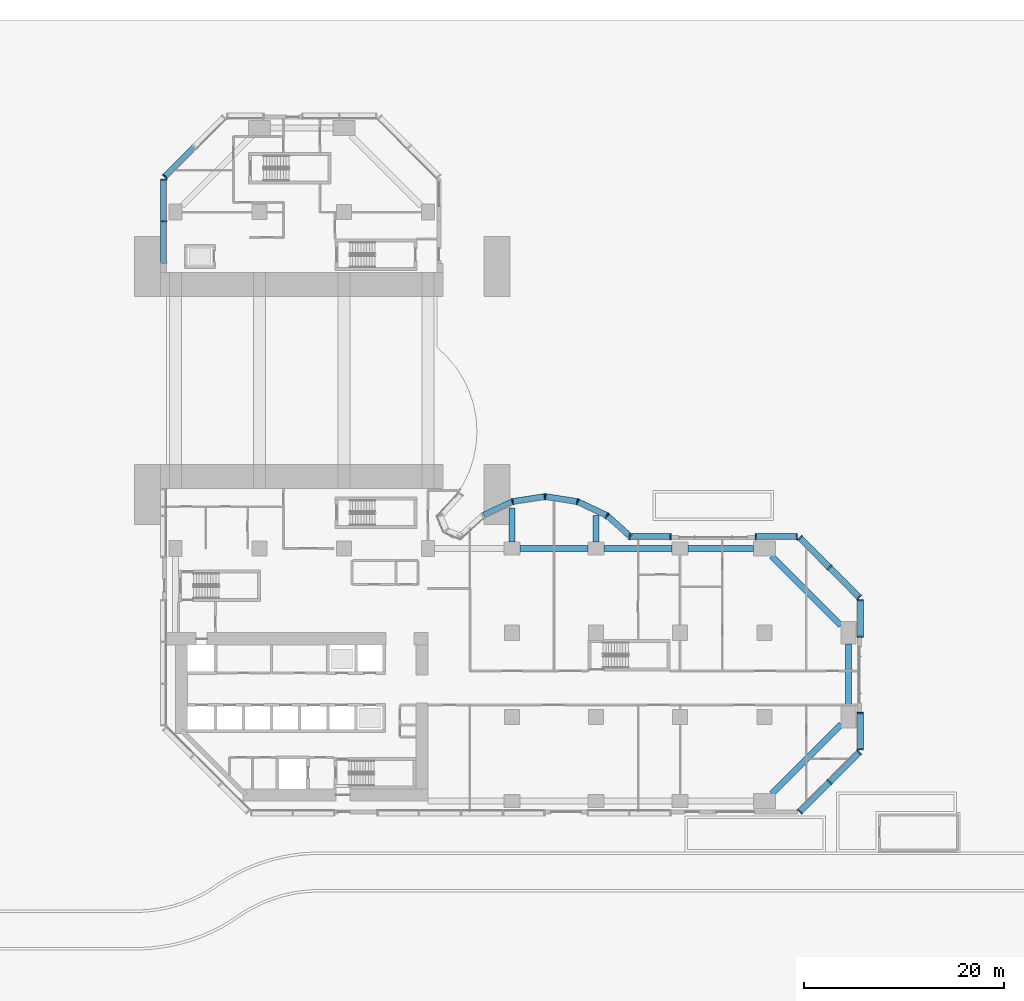
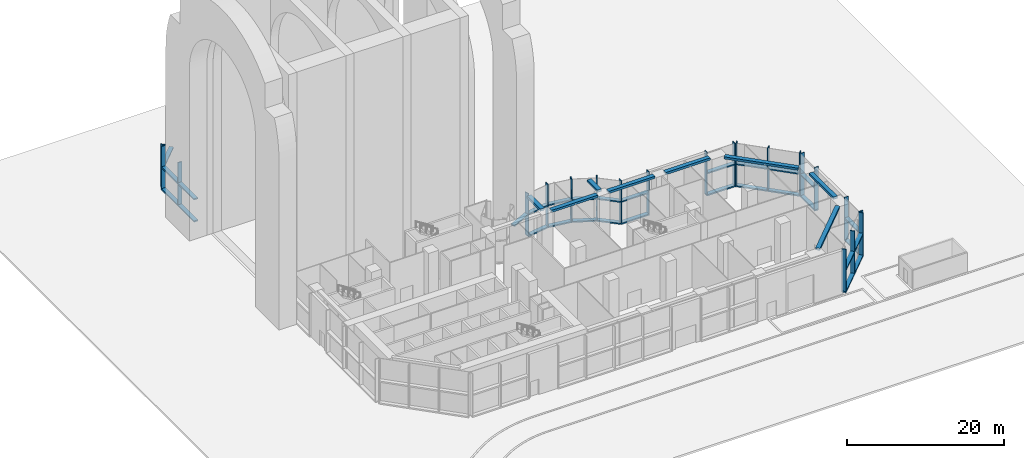
# One storey, part 3 of 21: 48 members, 8 beams, 9 elements without a shape of their own.
"""IFC4 building model written with IfcOpenShell, lengths in metres."""

from ifc_helpers import new_model, si_unit, direction, frame, origin, origin_2d, place, context, subcontext, project, spatial, rectangle, extrude, material, material_profile, profile_set, type_object, element, aggregate, save


model = new_model("IFC4")

# Units and contexts
model_context = context("Model", 3, precision=1e-05, world=origin(), true_north=direction((0.0, 1.0)))
body_context = subcontext(model_context, "Body", "Model", "MODEL_VIEW")
ifc_project = project(units=[si_unit("LENGTHUNIT", "METRE"), si_unit("AREAUNIT", "SQUARE_METRE"), si_unit("VOLUMEUNIT", "CUBIC_METRE"), si_unit("PLANEANGLEUNIT", "RADIAN"), si_unit("MASSUNIT", "GRAM", prefix="KILO")], contexts=[model_context])

# Site, building, storey
site_placement = place(None, origin())
site = spatial("IfcSite", under=ifc_project, at=site_placement, CompositionType="ELEMENT")
building_placement = place(site_placement, origin())
building = spatial("IfcBuilding", under=site, at=building_placement, Name="Brevane Broadcast Tower", CompositionType="ELEMENT")
storey_placement = place(building_placement, origin())
storey = spatial("IfcBuildingStorey", under=building, at=storey_placement, Name="L00", CompositionType="ELEMENT", Elevation=0.0)

# Curtain wall, members
ifc_material_1 = material(Name="Aluminium 6063-T6 bronze anodised", Category="aluminium")
curtain_wall_type = type_object("IfcCurtainWallType", Name="CW-6 curtain wall", PredefinedType="NOTDEFINED", material=ifc_material_1)
curtain_wall_1_placement = place(storey_placement, origin())
curtain_wall_1 = element("IfcCurtainWall", 1, at=curtain_wall_1_placement, inside=storey, type_object=curtain_wall_type, Name="CW-6 ground storey storefront unit L00 south-east chamfer", PredefinedType="NOTDEFINED")
ifc_material_profile_1 = material_profile(ifc_material_1, rectangle(XDim=0.60009765625, YDim=0.1201171875, at=origin_2d()), Name="RECT 120x600")
ifc_profile_set_1 = profile_set([ifc_material_profile_1], Name="Aluminium 6063-T6 bronze anodised")
member_type_1 = type_object("IfcMemberType", Name="CW-6 mullion 120x600", PredefinedType="MULLION", material=ifc_profile_set_1)
member_1_placement = place(storey_placement, frame((62.3544921875, -1.06982421875, 0.199951171875), z_axis=(0.0, 0.0, 1.0), x_axis=(-0.707106781187, 0.707106781187, 0.0)))
member_1 = element("IfcMember", 2, at=member_1_placement, type_object=member_type_1, Name="CW-6 mullion", PredefinedType="MULLION", context=body_context, shape_type="SweptSolid", body=[
    extrude(rectangle(XDim=0.60009765625, YDim=0.1201171875, at=origin_2d()), origin(), (0.0, 0.0, 1.0), 6.550048828125),
])
member_2_placement = place(storey_placement, frame((65.31201171875, 1.887939453125, 0.199951171875), z_axis=(0.0, 0.0, 1.0), x_axis=(-0.707106781187, 0.707106781187, 0.0)))
member_2 = element("IfcMember", 3, at=member_2_placement, type_object=member_type_1, Name="CW-6 mullion", PredefinedType="MULLION", context=body_context, shape_type="SweptSolid", body=[
    extrude(rectangle(XDim=0.60009765625, YDim=0.1201171875, at=origin_2d()), origin(), (0.0, 0.0, 1.0), 6.550048828125),
])
member_3_placement = place(storey_placement, frame((68.269775390625, 4.845458984375, 0.199951171875), z_axis=(0.0, 0.0, 1.0), x_axis=(-0.707106781187, 0.707106781187, 0.0)))
member_3 = element("IfcMember", 4, at=member_3_placement, type_object=member_type_1, Name="CW-6 mullion", PredefinedType="MULLION", context=body_context, shape_type="SweptSolid", body=[
    extrude(rectangle(XDim=0.60009765625, YDim=0.1201171875, at=origin_2d()), origin(), (0.0, 0.0, 1.0), 6.550048828125),
])

curtain_wall_2_placement = place(storey_placement, origin())
curtain_wall_2 = element("IfcCurtainWall", 5, at=curtain_wall_2_placement, inside=storey, type_object=curtain_wall_type, Name="CW-6 ground storey storefront unit L00 east end", PredefinedType="NOTDEFINED")
member_4_placement = place(storey_placement, frame((68.39990234375, 5.159912109375, 0.199951171875), z_axis=(0.0, 0.0, 1.0), x_axis=(-1.0, 0.0, 0.0)))
member_4 = element("IfcMember", 6, at=member_4_placement, type_object=member_type_1, Name="CW-6 mullion", PredefinedType="MULLION", context=body_context, shape_type="SweptSolid", body=[
    extrude(rectangle(XDim=0.60009765625, YDim=0.1201171875, at=origin_2d()), origin(), (0.0, 0.0, 1.0), 6.550048828125),
])
member_5_placement = place(storey_placement, frame((68.39990234375, 8.7900390625, 0.199951171875), z_axis=(0.0, 0.0, 1.0), x_axis=(-1.0, 0.0, 0.0)))
member_5 = element("IfcMember", 7, at=member_5_placement, type_object=member_type_1, Name="CW-6 mullion", PredefinedType="MULLION", context=body_context, shape_type="SweptSolid", body=[
    extrude(rectangle(XDim=0.60009765625, YDim=0.1201171875, at=origin_2d()), origin(), (0.0, 0.0, 1.0), 6.550048828125),
])

curtain_wall_3_placement = place(storey_placement, origin())
curtain_wall_3 = element("IfcCurtainWall", 8, at=curtain_wall_3_placement, inside=storey, type_object=curtain_wall_type, Name="CW-6 ground storey storefront unit L00 east end", PredefinedType="NOTDEFINED")
member_6_placement = place(storey_placement, frame((68.39990234375, 16.409912109375, 0.199951171875), z_axis=(0.0, 0.0, 1.0), x_axis=(-1.0, 0.0, 0.0)))
member_6 = element("IfcMember", 9, at=member_6_placement, type_object=member_type_1, Name="CW-6 mullion", PredefinedType="MULLION", context=body_context, shape_type="SweptSolid", body=[
    extrude(rectangle(XDim=0.60009765625, YDim=0.1201171875, at=origin_2d()), origin(), (0.0, 0.0, 1.0), 6.550048828125),
])
member_7_placement = place(storey_placement, frame((68.39990234375, 20.0400390625, 0.199951171875), z_axis=(0.0, 0.0, 1.0), x_axis=(-1.0, 0.0, 0.0)))
member_7 = element("IfcMember", 10, at=member_7_placement, type_object=member_type_1, Name="CW-6 mullion", PredefinedType="MULLION", context=body_context, shape_type="SweptSolid", body=[
    extrude(rectangle(XDim=0.60009765625, YDim=0.1201171875, at=origin_2d()), origin(), (0.0, 0.0, 1.0), 6.550048828125),
])

curtain_wall_4_placement = place(storey_placement, origin())
curtain_wall_4 = element("IfcCurtainWall", 11, at=curtain_wall_4_placement, inside=storey, type_object=curtain_wall_type, Name="CW-6 ground storey storefront unit L00 north-east chamfer", PredefinedType="NOTDEFINED")
member_8_placement = place(storey_placement, frame((68.269775390625, 20.3544921875, 0.199951171875), z_axis=(0.0, 0.0, 1.0), x_axis=(-0.707106781187, -0.707106781187, 0.0)))
member_8 = element("IfcMember", 12, at=member_8_placement, type_object=member_type_1, Name="CW-6 mullion", PredefinedType="MULLION", context=body_context, shape_type="SweptSolid", body=[
    extrude(rectangle(XDim=0.60009765625, YDim=0.1201171875, at=origin_2d()), origin(), (0.0, 0.0, 1.0), 6.550048828125),
])
member_9_placement = place(storey_placement, frame((65.31201171875, 23.31201171875, 0.199951171875), z_axis=(0.0, 0.0, 1.0), x_axis=(-0.707106781187, -0.707106781187, 0.0)))
member_9 = element("IfcMember", 13, at=member_9_placement, type_object=member_type_1, Name="CW-6 mullion", PredefinedType="MULLION", context=body_context, shape_type="SweptSolid", body=[
    extrude(rectangle(XDim=0.60009765625, YDim=0.1201171875, at=origin_2d()), origin(), (0.0, 0.0, 1.0), 6.550048828125),
])
member_10_placement = place(storey_placement, frame((62.3544921875, 26.269775390625, 0.199951171875), z_axis=(0.0, 0.0, 1.0), x_axis=(-0.707106781187, -0.707106781187, 0.0)))
member_10 = element("IfcMember", 14, at=member_10_placement, type_object=member_type_1, Name="CW-6 mullion", PredefinedType="MULLION", context=body_context, shape_type="SweptSolid", body=[
    extrude(rectangle(XDim=0.60009765625, YDim=0.1201171875, at=origin_2d()), origin(), (0.0, 0.0, 1.0), 6.550048828125),
])

curtain_wall_5_placement = place(storey_placement, origin())
curtain_wall_5 = element("IfcCurtainWall", 15, at=curtain_wall_5_placement, inside=storey, type_object=curtain_wall_type, Name="CW-6 ground storey storefront unit L00 east arm north face", PredefinedType="NOTDEFINED")
member_11_placement = place(storey_placement, frame((62.0400390625, 26.39990234375, 0.199951171875), z_axis=(0.0, 0.0, 1.0), x_axis=(0.0, -1.0, 0.0)))
member_11 = element("IfcMember", 16, at=member_11_placement, type_object=member_type_1, Name="CW-6 mullion", PredefinedType="MULLION", context=body_context, shape_type="SweptSolid", body=[
    extrude(rectangle(XDim=0.60009765625, YDim=0.1201171875, at=origin_2d()), origin(), (0.0, 0.0, 1.0), 6.550048828125),
])
member_12_placement = place(storey_placement, frame((57.9599609375, 26.39990234375, 0.199951171875), z_axis=(0.0, 0.0, 1.0), x_axis=(0.0, -1.0, 0.0)))
member_12 = element("IfcMember", 17, at=member_12_placement, type_object=member_type_1, Name="CW-6 mullion", PredefinedType="MULLION", context=body_context, shape_type="SweptSolid", body=[
    extrude(rectangle(XDim=0.60009765625, YDim=0.1201171875, at=origin_2d()), origin(), (0.0, 0.0, 1.0), 6.550048828125),
])

curtain_wall_6_placement = place(storey_placement, origin())
curtain_wall_6 = element("IfcCurtainWall", 18, at=curtain_wall_6_placement, inside=storey, type_object=curtain_wall_type, Name="CW-6 ground storey storefront unit L00 east arm north face", PredefinedType="NOTDEFINED")
member_13_placement = place(storey_placement, frame((49.43994140625, 26.39990234375, 0.199951171875), z_axis=(0.0, 0.0, 1.0), x_axis=(0.0, -1.0, 0.0)))
member_13 = element("IfcMember", 19, at=member_13_placement, type_object=member_type_1, Name="CW-6 mullion", PredefinedType="MULLION", context=body_context, shape_type="SweptSolid", body=[
    extrude(rectangle(XDim=0.60009765625, YDim=0.1201171875, at=origin_2d()), origin(), (0.0, 0.0, 1.0), 6.550048828125),
])
member_14_placement = place(storey_placement, frame((45.360107421875, 26.39990234375, 0.199951171875), z_axis=(0.0, 0.0, 1.0), x_axis=(0.0, -1.0, 0.0)))
member_14 = element("IfcMember", 20, at=member_14_placement, type_object=member_type_1, Name="CW-6 mullion", PredefinedType="MULLION", context=body_context, shape_type="SweptSolid", body=[
    extrude(rectangle(XDim=0.60009765625, YDim=0.1201171875, at=origin_2d()), origin(), (0.0, 0.0, 1.0), 6.550048828125),
])

curtain_wall_7_placement = place(storey_placement, origin())
curtain_wall_7 = element("IfcCurtainWall", 21, at=curtain_wall_7_placement, inside=storey, type_object=curtain_wall_type, Name="CW-6 ground storey storefront unit L00 east bow", PredefinedType="NOTDEFINED")
member_15_placement = place(storey_placement, frame((43.09912109375, 28.488525390625, 0.199951171875), z_axis=(0.0, 0.0, 1.0), x_axis=(-0.555997481379, -0.831183975243, 0.0)))
member_15 = element("IfcMember", 22, at=member_15_placement, type_object=member_type_1, Name="CW-6 mullion", PredefinedType="MULLION", context=body_context, shape_type="SweptSolid", body=[
    extrude(rectangle(XDim=0.60009765625, YDim=0.1201171875, at=origin_2d()), origin(), (0.0, 0.0, 1.0), 6.550048828125),
])
member_16_placement = place(storey_placement, frame((40.1416015625, 29.896728515625, 0.199951171875), z_axis=(0.0, 0.0, 1.0), x_axis=(-0.294828346832, -0.955550232015, 0.0)))
member_16 = element("IfcMember", 23, at=member_16_placement, type_object=member_type_1, Name="CW-6 mullion", PredefinedType="MULLION", context=body_context, shape_type="SweptSolid", body=[
    extrude(rectangle(XDim=0.60009765625, YDim=0.1201171875, at=origin_2d()), origin(), (0.0, 0.0, 1.0), 6.550048828125),
])
member_17_placement = place(storey_placement, frame((36.89990234375, 30.39990234375, 0.199951171875), z_axis=(0.0, 0.0, 1.0), x_axis=(0.0, -1.0, 0.0)))
member_17 = element("IfcMember", 24, at=member_17_placement, type_object=member_type_1, Name="CW-6 mullion", PredefinedType="MULLION", context=body_context, shape_type="SweptSolid", body=[
    extrude(rectangle(XDim=0.60009765625, YDim=0.1201171875, at=origin_2d()), origin(), (0.0, 0.0, 1.0), 6.550048828125),
])
member_18_placement = place(storey_placement, frame((33.658447265625, 29.896728515625, 0.199951171875), z_axis=(0.0, 0.0, 1.0), x_axis=(0.294828346832, -0.955550232015, 0.0)))
member_18 = element("IfcMember", 25, at=member_18_placement, type_object=member_type_1, Name="CW-6 mullion", PredefinedType="MULLION", context=body_context, shape_type="SweptSolid", body=[
    extrude(rectangle(XDim=0.60009765625, YDim=0.1201171875, at=origin_2d()), origin(), (0.0, 0.0, 1.0), 6.550048828125),
])

# Curtain wall, member
curtain_wall_8_placement = place(storey_placement, origin())
curtain_wall_8 = element("IfcCurtainWall", 26, at=curtain_wall_8_placement, inside=storey, type_object=curtain_wall_type, Name="CW-6 ground storey storefront unit L00 north-west chamfer", PredefinedType="NOTDEFINED")
member_19_placement = place(storey_placement, frame((-1.06982421875, 62.3544921875, 0.199951171875), z_axis=(0.0, 0.0, 1.0), x_axis=(0.707106781187, -0.707106781187, 0.0)))
member_19 = element("IfcMember", 27, at=member_19_placement, type_object=member_type_1, Name="CW-6 mullion", PredefinedType="MULLION", context=body_context, shape_type="SweptSolid", body=[
    extrude(rectangle(XDim=0.60009765625, YDim=0.1201171875, at=origin_2d()), origin(), (0.0, 0.0, 1.0), 6.550048828125),
])

# Curtain wall, members
curtain_wall_9_placement = place(storey_placement, origin())
curtain_wall_9 = element("IfcCurtainWall", 28, at=curtain_wall_9_placement, inside=storey, type_object=curtain_wall_type, Name="CW-6 ground storey storefront unit L00 west face", PredefinedType="NOTDEFINED")
member_20_placement = place(storey_placement, frame((-1.199951171875, 62.0400390625, 0.199951171875), z_axis=(0.0, 0.0, 1.0), x_axis=(1.0, 0.0, 0.0)))
member_20 = element("IfcMember", 29, at=member_20_placement, type_object=member_type_1, Name="CW-6 mullion", PredefinedType="MULLION", context=body_context, shape_type="SweptSolid", body=[
    extrude(rectangle(XDim=0.60009765625, YDim=0.1201171875, at=origin_2d()), origin(), (0.0, 0.0, 1.0), 6.550048828125),
])
member_21_placement = place(storey_placement, frame((-1.199951171875, 57.89990234375, 0.199951171875), z_axis=(0.0, 0.0, 1.0), x_axis=(1.0, 0.0, 0.0)))
member_21 = element("IfcMember", 30, at=member_21_placement, type_object=member_type_1, Name="CW-6 mullion", PredefinedType="MULLION", context=body_context, shape_type="SweptSolid", body=[
    extrude(rectangle(XDim=0.60009765625, YDim=0.1201171875, at=origin_2d()), origin(), (0.0, 0.0, 1.0), 6.550048828125),
])

# Member
ifc_material_profile_2 = material_profile(ifc_material_1, rectangle(XDim=0.60009765625, YDim=0.199951171875, at=origin_2d()), Name="RECT 200x600")
ifc_profile_set_2 = profile_set([ifc_material_profile_2], Name="Aluminium 6063-T6 bronze anodised")
member_type_2 = type_object("IfcMemberType", Name="CW-6 transom 200x600", PredefinedType="USERDEFINED", material=ifc_profile_set_2)
member_22_placement = place(storey_placement, frame((62.31201171875, -1.112060546875, 0.10009765625), z_axis=(0.707106781187, 0.707106781187, 0.0), x_axis=(-0.707106781187, 0.707106781187, 0.0)))
member_22 = element("IfcMember", 31, at=member_22_placement, type_object=member_type_2, Name="CW-6 transom", ObjectType="TRANSOM", PredefinedType="USERDEFINED", context=body_context, shape_type="SweptSolid", body=[
    extrude(rectangle(XDim=0.60009765625, YDim=0.199951171875, at=origin_2d()), origin(), (0.0, 0.0, 1.0), 8.4853515625),
])

member_23_placement = place(storey_placement, frame((62.3544921875, -1.06982421875, 3.5), z_axis=(0.707106781187, 0.707106781187, 0.0), x_axis=(-0.707106781187, 0.707106781187, 0.0)))
member_23 = element("IfcMember", 32, at=member_23_placement, type_object=member_type_2, Name="CW-6 transom", ObjectType="TRANSOM", PredefinedType="USERDEFINED", context=body_context, shape_type="SweptSolid", body=[
    extrude(rectangle(XDim=0.60009765625, YDim=0.199951171875, at=origin_2d()), origin(), (0.0, 0.0, 1.0), 4.122802734375),
])

member_24_placement = place(storey_placement, frame((65.3544921875, 1.93017578125, 3.5), z_axis=(0.707106781187, 0.707106781187, 0.0), x_axis=(-0.707106781187, 0.707106781187, 0.0)))
member_24 = element("IfcMember", 33, at=member_24_placement, type_object=member_type_2, Name="CW-6 transom", ObjectType="TRANSOM", PredefinedType="USERDEFINED", context=body_context, shape_type="SweptSolid", body=[
    extrude(rectangle(XDim=0.60009765625, YDim=0.199951171875, at=origin_2d()), origin(), (0.0, 0.0, 1.0), 4.122802734375),
])

aggregate(curtain_wall_1, [member_1, member_2, member_3, member_22, member_23, member_24])

member_25_placement = place(storey_placement, frame((68.39990234375, 5.10009765625, 0.10009765625), z_axis=(0.0, 1.0, 0.0), x_axis=(-1.0, 0.0, 0.0)))
member_25 = element("IfcMember", 34, at=member_25_placement, type_object=member_type_2, Name="CW-6 transom", ObjectType="TRANSOM", PredefinedType="USERDEFINED", context=body_context, shape_type="SweptSolid", body=[
    extrude(rectangle(XDim=0.60009765625, YDim=0.199951171875, at=origin_2d()), origin(), (0.0, 0.0, 1.0), 3.75),
])

member_26_placement = place(storey_placement, frame((68.39990234375, 5.159912109375, 3.5), z_axis=(0.0, 1.0, 0.0), x_axis=(-1.0, 0.0, 0.0)))
member_26 = element("IfcMember", 35, at=member_26_placement, type_object=member_type_2, Name="CW-6 transom", ObjectType="TRANSOM", PredefinedType="USERDEFINED", context=body_context, shape_type="SweptSolid", body=[
    extrude(rectangle(XDim=0.60009765625, YDim=0.199951171875, at=origin_2d()), origin(), (0.0, 0.0, 1.0), 3.630126953125),
])

aggregate(curtain_wall_2, [member_4, member_5, member_25, member_26])

member_27_placement = place(storey_placement, frame((68.39990234375, 16.35009765625, 0.10009765625), z_axis=(0.0, 1.0, 0.0), x_axis=(-1.0, 0.0, 0.0)))
member_27 = element("IfcMember", 36, at=member_27_placement, type_object=member_type_2, Name="CW-6 transom", ObjectType="TRANSOM", PredefinedType="USERDEFINED", context=body_context, shape_type="SweptSolid", body=[
    extrude(rectangle(XDim=0.60009765625, YDim=0.199951171875, at=origin_2d()), origin(), (0.0, 0.0, 1.0), 3.75),
])

member_28_placement = place(storey_placement, frame((68.39990234375, 16.409912109375, 3.5), z_axis=(0.0, 1.0, 0.0), x_axis=(-1.0, 0.0, 0.0)))
member_28 = element("IfcMember", 37, at=member_28_placement, type_object=member_type_2, Name="CW-6 transom", ObjectType="TRANSOM", PredefinedType="USERDEFINED", context=body_context, shape_type="SweptSolid", body=[
    extrude(rectangle(XDim=0.60009765625, YDim=0.199951171875, at=origin_2d()), origin(), (0.0, 0.0, 1.0), 3.630126953125),
])

aggregate(curtain_wall_3, [member_6, member_7, member_27, member_28])

member_29_placement = place(storey_placement, frame((68.31201171875, 20.31201171875, 0.10009765625), z_axis=(-0.707106781187, 0.707106781187, 0.0), x_axis=(-0.707106781187, -0.707106781187, 0.0)))
member_29 = element("IfcMember", 38, at=member_29_placement, type_object=member_type_2, Name="CW-6 transom", ObjectType="TRANSOM", PredefinedType="USERDEFINED", context=body_context, shape_type="SweptSolid", body=[
    extrude(rectangle(XDim=0.60009765625, YDim=0.199951171875, at=origin_2d()), origin(), (0.0, 0.0, 1.0), 8.4853515625),
])

member_30_placement = place(storey_placement, frame((68.269775390625, 20.3544921875, 3.5), z_axis=(-0.707106781187, 0.707106781187, 0.0), x_axis=(-0.707106781187, -0.707106781187, 0.0)))
member_30 = element("IfcMember", 39, at=member_30_placement, type_object=member_type_2, Name="CW-6 transom", ObjectType="TRANSOM", PredefinedType="USERDEFINED", context=body_context, shape_type="SweptSolid", body=[
    extrude(rectangle(XDim=0.60009765625, YDim=0.199951171875, at=origin_2d()), origin(), (0.0, 0.0, 1.0), 4.122802734375),
])

member_31_placement = place(storey_placement, frame((65.269775390625, 23.3544921875, 3.5), z_axis=(-0.707106781187, 0.707106781187, 0.0), x_axis=(-0.707106781187, -0.707106781187, 0.0)))
member_31 = element("IfcMember", 40, at=member_31_placement, type_object=member_type_2, Name="CW-6 transom", ObjectType="TRANSOM", PredefinedType="USERDEFINED", context=body_context, shape_type="SweptSolid", body=[
    extrude(rectangle(XDim=0.60009765625, YDim=0.199951171875, at=origin_2d()), origin(), (0.0, 0.0, 1.0), 4.122802734375),
])

aggregate(curtain_wall_4, [member_8, member_9, member_10, member_29, member_30, member_31])

member_32_placement = place(storey_placement, frame((62.10009765625, 26.39990234375, 0.10009765625), z_axis=(-1.0, 0.0, 0.0), x_axis=(0.0, -1.0, 0.0)))
member_32 = element("IfcMember", 41, at=member_32_placement, type_object=member_type_2, Name="CW-6 transom", ObjectType="TRANSOM", PredefinedType="USERDEFINED", context=body_context, shape_type="SweptSolid", body=[
    extrude(rectangle(XDim=0.60009765625, YDim=0.199951171875, at=origin_2d()), origin(), (0.0, 0.0, 1.0), 4.2001953125),
])

member_33_placement = place(storey_placement, frame((62.0400390625, 26.39990234375, 3.5), z_axis=(-1.0, 0.0, 0.0), x_axis=(0.0, -1.0, 0.0)))
member_33 = element("IfcMember", 42, at=member_33_placement, type_object=member_type_2, Name="CW-6 transom", ObjectType="TRANSOM", PredefinedType="USERDEFINED", context=body_context, shape_type="SweptSolid", body=[
    extrude(rectangle(XDim=0.60009765625, YDim=0.199951171875, at=origin_2d()), origin(), (0.0, 0.0, 1.0), 4.080078125),
])

aggregate(curtain_wall_5, [member_11, member_12, member_32, member_33])

member_34_placement = place(storey_placement, frame((49.5, 26.39990234375, 0.10009765625), z_axis=(-1.0, 0.0, 0.0), x_axis=(0.0, -1.0, 0.0)))
member_34 = element("IfcMember", 43, at=member_34_placement, type_object=member_type_2, Name="CW-6 transom", ObjectType="TRANSOM", PredefinedType="USERDEFINED", context=body_context, shape_type="SweptSolid", body=[
    extrude(rectangle(XDim=0.60009765625, YDim=0.199951171875, at=origin_2d()), origin(), (0.0, 0.0, 1.0), 4.199951171875),
])

member_35_placement = place(storey_placement, frame((49.43994140625, 26.39990234375, 3.5), z_axis=(-1.0, 0.0, 0.0), x_axis=(0.0, -1.0, 0.0)))
member_35 = element("IfcMember", 44, at=member_35_placement, type_object=member_type_2, Name="CW-6 transom", ObjectType="TRANSOM", PredefinedType="USERDEFINED", context=body_context, shape_type="SweptSolid", body=[
    extrude(rectangle(XDim=0.60009765625, YDim=0.199951171875, at=origin_2d()), origin(), (0.0, 0.0, 1.0), 4.079833984375),
])

aggregate(curtain_wall_6, [member_13, member_14, member_34, member_35])

member_36_placement = place(storey_placement, frame((45.381591796875, 26.430419921875, 0.10009765625), z_axis=(-0.742043383245, 0.670351860878, 0.0), x_axis=(-0.670351860878, -0.742043383245, 0.0)))
member_36 = element("IfcMember", 45, at=member_36_placement, type_object=member_type_2, Name="CW-6 transom", ObjectType="TRANSOM", PredefinedType="USERDEFINED", context=body_context, shape_type="SweptSolid", body=[
    extrude(rectangle(XDim=0.60009765625, YDim=0.199951171875, at=origin_2d()), origin(), (0.0, 0.0, 1.0), 3.041015625),
])

member_37_placement = place(storey_placement, frame((43.061279296875, 28.510009765625, 0.10009765625), z_axis=(-0.902881745307, 0.429889001942, 0.0), x_axis=(-0.429889001942, -0.902881745307, 0.0)))
member_37 = element("IfcMember", 46, at=member_37_placement, type_object=member_type_2, Name="CW-6 transom", ObjectType="TRANSOM", PredefinedType="USERDEFINED", context=body_context, shape_type="SweptSolid", body=[
    extrude(rectangle(XDim=0.60009765625, YDim=0.199951171875, at=origin_2d()), origin(), (0.0, 0.0, 1.0), 3.18896484375),
])

member_38_placement = place(storey_placement, frame((40.10986328125, 29.90478515625, 0.10009765625), z_axis=(-0.988151305523, 0.153482889576, 0.0), x_axis=(-0.153482889576, -0.988151305523, 0.0)))
member_38 = element("IfcMember", 47, at=member_38_placement, type_object=member_type_2, Name="CW-6 transom", ObjectType="TRANSOM", PredefinedType="USERDEFINED", context=body_context, shape_type="SweptSolid", body=[
    extrude(rectangle(XDim=0.60009765625, YDim=0.199951171875, at=origin_2d()), origin(), (0.0, 0.0, 1.0), 3.19091796875),
])

member_39_placement = place(storey_placement, frame((36.84326171875, 30.39453125, 0.10009765625), z_axis=(-0.988151305523, -0.153482889576, 0.0), x_axis=(0.153482889576, -0.988151305523, 0.0)))
member_39 = element("IfcMember", 48, at=member_39_placement, type_object=member_type_2, Name="CW-6 transom", ObjectType="TRANSOM", PredefinedType="USERDEFINED", context=body_context, shape_type="SweptSolid", body=[
    extrude(rectangle(XDim=0.60009765625, YDim=0.199951171875, at=origin_2d()), origin(), (0.0, 0.0, 1.0), 3.19091796875),
])

member_40_placement = place(storey_placement, frame((45.448486328125, 26.369873046875, 3.5), z_axis=(-0.742012070199, 0.670386521105, 0.0), x_axis=(-0.670386521105, -0.742012070199, 0.0)))
member_40 = element("IfcMember", 49, at=member_40_placement, type_object=member_type_2, Name="CW-6 transom", ObjectType="TRANSOM", PredefinedType="USERDEFINED", context=body_context, shape_type="SweptSolid", body=[
    extrude(rectangle(XDim=0.60009765625, YDim=0.199951171875, at=origin_2d()), origin(), (0.0, 0.0, 1.0), 3.071044921875),
])

member_41_placement = place(storey_placement, frame((43.007080078125, 28.535888671875, 3.5), z_axis=(-0.902869341736, 0.429915051788, 0.0), x_axis=(-0.429915051788, -0.902869341736, 0.0)))
member_41 = element("IfcMember", 50, at=member_41_placement, type_object=member_type_2, Name="CW-6 transom", ObjectType="TRANSOM", PredefinedType="USERDEFINED", context=body_context, shape_type="SweptSolid", body=[
    extrude(rectangle(XDim=0.60009765625, YDim=0.199951171875, at=origin_2d()), origin(), (0.0, 0.0, 1.0), 3.06884765625),
])

member_42_placement = place(storey_placement, frame((40.050537109375, 29.913818359375, 3.5), z_axis=(-0.988137043718, 0.15357468161, 0.0), x_axis=(-0.15357468161, -0.988137043718, 0.0)))
member_42 = element("IfcMember", 51, at=member_42_placement, type_object=member_type_2, Name="CW-6 transom", ObjectType="TRANSOM", PredefinedType="USERDEFINED", context=body_context, shape_type="SweptSolid", body=[
    extrude(rectangle(XDim=0.60009765625, YDim=0.199951171875, at=origin_2d()), origin(), (0.0, 0.0, 1.0), 3.08251953125),
])

member_43_placement = place(storey_placement, frame((36.79541015625, 30.38720703125, 3.5), z_axis=(-0.988138911517, -0.153562663255, 0.0), x_axis=(0.153562663255, -0.988138911517, 0.0)))
member_43 = element("IfcMember", 52, at=member_43_placement, type_object=member_type_2, Name="CW-6 transom", ObjectType="TRANSOM", PredefinedType="USERDEFINED", context=body_context, shape_type="SweptSolid", body=[
    extrude(rectangle(XDim=0.60009765625, YDim=0.199951171875, at=origin_2d()), origin(), (0.0, 0.0, 1.0), 3.082763671875),
])

member_44_placement = place(storey_placement, frame((33.563720703125, 29.855224609375, 3.5), z_axis=(-0.902869341736, -0.429915051788, 0.0), x_axis=(0.429915051788, -0.902869341736, 0.0)))
member_44 = element("IfcMember", 53, at=member_44_placement, type_object=member_type_2, Name="CW-6 transom", ObjectType="TRANSOM", PredefinedType="USERDEFINED", context=body_context, shape_type="SweptSolid", body=[
    extrude(rectangle(XDim=0.60009765625, YDim=0.199951171875, at=origin_2d()), origin(), (0.0, 0.0, 1.0), 3.06884765625),
])

aggregate(curtain_wall_7, [member_15, member_16, member_17, member_18, member_36, member_37, member_38, member_39, member_40, member_41, member_42, member_43, member_44])

member_45_placement = place(storey_placement, frame((1.845458984375, 65.269775390625, 3.5), z_axis=(-0.707106781187, -0.707106781187, 0.0), x_axis=(0.707106781187, -0.707106781187, 0.0)))
member_45 = element("IfcMember", 54, at=member_45_placement, type_object=member_type_2, Name="CW-6 transom", ObjectType="TRANSOM", PredefinedType="USERDEFINED", context=body_context, shape_type="SweptSolid", body=[
    extrude(rectangle(XDim=0.60009765625, YDim=0.199951171875, at=origin_2d()), origin(), (0.0, 0.0, 1.0), 4.122802734375),
])

aggregate(curtain_wall_8, [member_19, member_45])

member_46_placement = place(storey_placement, frame((-1.199951171875, 62.10009765625, 0.10009765625), z_axis=(0.0, -1.0, 0.0), x_axis=(1.0, 0.0, 0.0)))
member_46 = element("IfcMember", 55, at=member_46_placement, type_object=member_type_2, Name="CW-6 transom", ObjectType="TRANSOM", PredefinedType="USERDEFINED", context=body_context, shape_type="SweptSolid", body=[
    extrude(rectangle(XDim=0.60009765625, YDim=0.199951171875, at=origin_2d()), origin(), (0.0, 0.0, 1.0), 8.400146484375),
])

member_47_placement = place(storey_placement, frame((-1.199951171875, 62.0400390625, 3.5), z_axis=(0.0, -1.0, 0.0), x_axis=(1.0, 0.0, 0.0)))
member_47 = element("IfcMember", 56, at=member_47_placement, type_object=member_type_2, Name="CW-6 transom", ObjectType="TRANSOM", PredefinedType="USERDEFINED", context=body_context, shape_type="SweptSolid", body=[
    extrude(rectangle(XDim=0.60009765625, YDim=0.199951171875, at=origin_2d()), origin(), (0.0, 0.0, 1.0), 4.080078125),
])

member_48_placement = place(storey_placement, frame((-1.199951171875, 57.840087890625, 3.5), z_axis=(0.0, -1.0, 0.0), x_axis=(1.0, 0.0, 0.0)))
member_48 = element("IfcMember", 57, at=member_48_placement, type_object=member_type_2, Name="CW-6 transom", ObjectType="TRANSOM", PredefinedType="USERDEFINED", context=body_context, shape_type="SweptSolid", body=[
    extrude(rectangle(XDim=0.60009765625, YDim=0.199951171875, at=origin_2d()), origin(), (0.0, 0.0, 1.0), 4.080078125),
])

aggregate(curtain_wall_9, [member_20, member_21, member_46, member_47, member_48])

# Beams
ifc_material_2 = material(Name="Concrete C40/50", Category="concrete")
ifc_material_profile_3 = material_profile(ifc_material_2, rectangle(XDim=0.60009765625, YDim=0.35009765625, at=origin_2d()), Name="RC 600x350")
ifc_profile_set_3 = profile_set([ifc_material_profile_3], Name="Concrete C40/50")
beam_type_1 = type_object("IfcBeamType", Name="RC BRACKET BEAM 600x350 C40/50", PredefinedType="BEAM", material=ifc_profile_set_3)
beam_1_placement = place(storey_placement, frame((33.60009765625, 25.85009765625, 6.574951171875), z_axis=(0.0, 1.0, 0.0), x_axis=(-1.0, 0.0, 0.0)))
element("IfcBeam", 58, at=beam_1_placement, inside=storey, type_object=beam_type_1, Name="EB2 L00-1", PredefinedType="BEAM", context=body_context, shape_type="SweptSolid", body=[
    extrude(rectangle(XDim=0.60009765625, YDim=0.35009765625, at=origin_2d()), origin(), (0.0, 0.0, 1.0), 3.411865234375),
])
beam_2_placement = place(storey_placement, frame((42.0, 25.85009765625, 6.574951171875), z_axis=(0.0, 1.0, 0.0), x_axis=(-1.0, 0.0, 0.0)))
element("IfcBeam", 59, at=beam_2_placement, inside=storey, type_object=beam_type_1, Name="EB2 L00-2", PredefinedType="BEAM", context=body_context, shape_type="SweptSolid", body=[
    extrude(rectangle(XDim=0.60009765625, YDim=0.35009765625, at=origin_2d()), origin(), (0.0, 0.0, 1.0), 2.661376953125),
])
ifc_material_profile_4 = material_profile(ifc_material_2, rectangle(XDim=0.60009765625, YDim=0.35009765625, at=origin_2d()), Name="RC 600x350")
ifc_profile_set_4 = profile_set([ifc_material_profile_4], Name="Concrete C40/50")
beam_type_2 = type_object("IfcBeamType", Name="RC SPANDREL BEAM 600x350 C40/50", PredefinedType="SPANDREL", material=ifc_profile_set_4)
beam_3_placement = place(storey_placement, frame((59.550048828125, 0.75, 6.574951171875), z_axis=(0.707106781187, 0.707106781187, 0.0), x_axis=(-0.707106781187, 0.707106781187, 0.0)))
element("IfcBeam", 60, at=beam_3_placement, inside=storey, type_object=beam_type_2, Name="EB1 L00-5", PredefinedType="SPANDREL", context=body_context, shape_type="SweptSolid", body=[
    extrude(rectangle(XDim=0.60009765625, YDim=0.35009765625, at=origin_2d()), origin(), (0.0, 0.0, 1.0), 9.758056640625),
])
beam_4_placement = place(storey_placement, frame((67.199951171875, 9.5, 6.574951171875), z_axis=(0.0, 1.0, 0.0), x_axis=(-1.0, 0.0, 0.0)))
element("IfcBeam", 61, at=beam_4_placement, inside=storey, type_object=beam_type_2, Name="EB1 L00-6", PredefinedType="SPANDREL", context=body_context, shape_type="SweptSolid", body=[
    extrude(rectangle(XDim=0.60009765625, YDim=0.35009765625, at=origin_2d()), origin(), (0.0, 0.0, 1.0), 6.199951171875),
])
beam_5_placement = place(storey_placement, frame((66.449951171875, 17.550048828125, 6.574951171875), z_axis=(-0.707106781187, 0.707106781187, 0.0), x_axis=(-0.707106781187, -0.707106781187, 0.0)))
element("IfcBeam", 62, at=beam_5_placement, inside=storey, type_object=beam_type_2, Name="EB1 L00-7", PredefinedType="SPANDREL", context=body_context, shape_type="SweptSolid", body=[
    extrude(rectangle(XDim=0.60009765625, YDim=0.35009765625, at=origin_2d()), origin(), (0.0, 0.0, 1.0), 9.758056640625),
])
beam_6_placement = place(storey_placement, frame((57.699951171875, 25.199951171875, 6.574951171875), z_axis=(-1.0, 0.0, 0.0), x_axis=(0.0, -1.0, 0.0)))
element("IfcBeam", 63, at=beam_6_placement, inside=storey, type_object=beam_type_2, Name="EB1 L00-8", PredefinedType="SPANDREL", context=body_context, shape_type="SweptSolid", body=[
    extrude(rectangle(XDim=0.60009765625, YDim=0.35009765625, at=origin_2d()), origin(), (0.0, 0.0, 1.0), 6.5),
])
for number, where, z_axis, x_axis, name in (
    (64, (49.60009765625, 25.199951171875, 6.574951171875), (-1.0, 0.0, 0.0), (0.0, -1.0, 0.0), "EB1 L00-9"),
    (65, (41.199951171875, 25.199951171875, 6.574951171875), (-1.0, 0.0, 0.0), (0.0, -1.0, 0.0), "EB1 L00-10"),
):
    element("IfcBeam", number, at=place(storey_placement, frame(where, z_axis=z_axis, x_axis=x_axis)), inside=storey, type_object=beam_type_2, Name=name, PredefinedType="SPANDREL", context=body_context, shape_type="SweptSolid", body=[
        extrude(rectangle(XDim=0.60009765625, YDim=0.35009765625, at=origin_2d()), origin(), (0.0, 0.0, 1.0), 6.800048828125),
    ])

save(model, "model.ifc")
